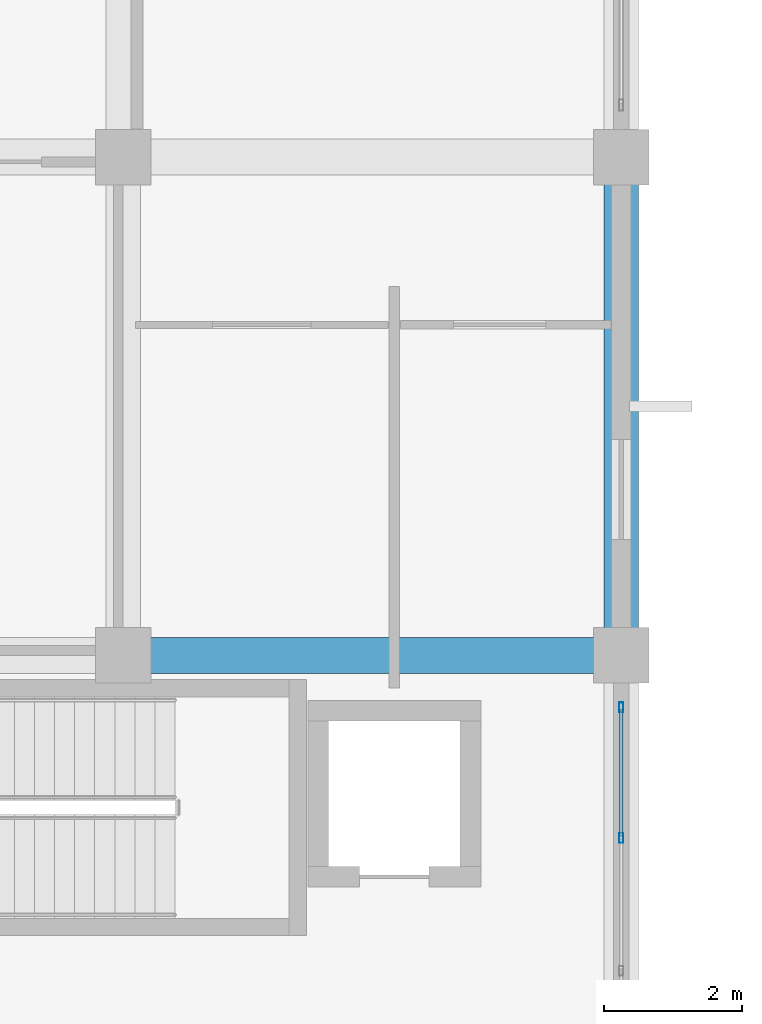
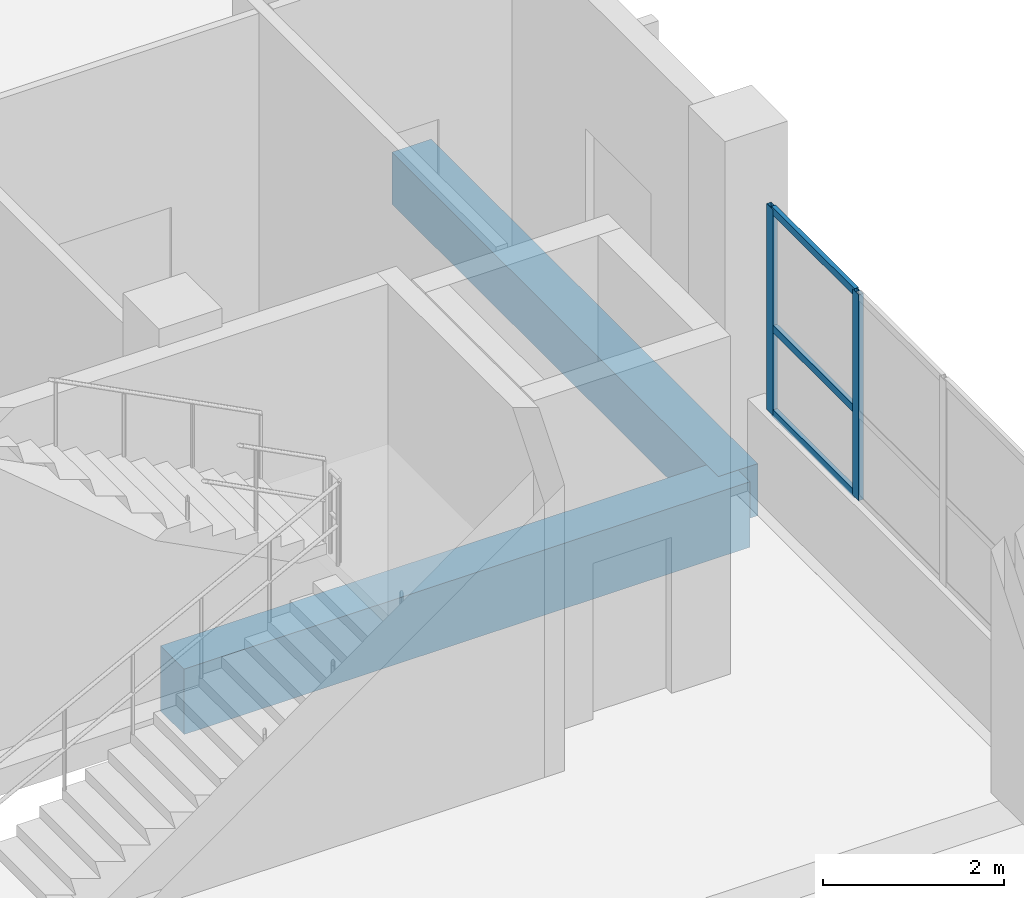
# One storey, part 20 of 140: 5 members, 2 beams, 1 element without a shape of its own.
"""IFC4 building model written with IfcOpenShell, lengths in metres."""

from ifc_helpers import new_model, si_unit, direction, frame, origin, origin_2d, place, context, subcontext, project, spatial, rectangle, hollow_rectangle, extrude, material, layer, layer_set, material_profile, profile_set, type_object, element, aggregate, save


model = new_model("IFC4")

# Units and contexts
model_context = context("Model", 3, precision=1e-05, world=origin(), true_north=direction((0.0, 1.0)))
body_context = subcontext(model_context, "Body", "Model", "MODEL_VIEW")
ifc_project = project(units=[si_unit("LENGTHUNIT", "METRE"), si_unit("AREAUNIT", "SQUARE_METRE"), si_unit("VOLUMEUNIT", "CUBIC_METRE"), si_unit("PLANEANGLEUNIT", "RADIAN"), si_unit("MASSUNIT", "GRAM", prefix="KILO")], contexts=[model_context])

# Site, building, storey
site_placement = place(None, origin())
site = spatial("IfcSite", under=ifc_project, at=site_placement, CompositionType="ELEMENT")
building_placement = place(site_placement, origin())
building = spatial("IfcBuilding", under=site, at=building_placement, Name="Seraya Terrace Polytechnic", CompositionType="ELEMENT")
storey_placement = place(building_placement, frame((0.0, 0.0, 9.60009765625)))
storey = spatial("IfcBuildingStorey", under=building, at=storey_placement, Name="L02", CompositionType="ELEMENT", Elevation=9.60009765625)

# Beams
ifc_material_1 = material(Name="Concrete C40/50", Category="concrete")
ifc_material_profile_1 = material_profile(ifc_material_1, rectangle(XDim=0.52001953125, YDim=0.8798828125, at=origin_2d()), Name="RC 520x880")
ifc_profile_set_1 = profile_set([ifc_material_profile_1], Name="Concrete C40/50")
beam_type_1 = type_object("IfcBeamType", Name="BM-04", PredefinedType="BEAM", material=ifc_profile_set_1)
beam_1_placement = place(storey_placement, frame((36.0, 43.199951171875, -0.440185546875), z_axis=(1.0, 0.0, 0.0), x_axis=(0.0, 1.0, 0.0)))
element("IfcBeam", 1, at=beam_1_placement, inside=storey, type_object=beam_type_1, Name="Beam BM-04 L02 X (36.0..43.2, 43.2)", PredefinedType="BEAM", context=body_context, shape_type="SweptSolid", body=[
    extrude(rectangle(XDim=0.52001953125, YDim=0.8798828125, at=origin_2d()), origin(), (0.0, 0.0, 1.0), 7.199951171875),
])
ifc_material_profile_2 = material_profile(ifc_material_1, rectangle(XDim=0.5, YDim=0.699951171875, at=origin_2d()), Name="RC 500x700")
ifc_profile_set_2 = profile_set([ifc_material_profile_2], Name="Concrete C40/50")
beam_type_2 = type_object("IfcBeamType", Name="BM-07", PredefinedType="BEAM", material=ifc_profile_set_2)
beam_2_placement = place(storey_placement, frame((43.199951171875, 43.199951171875, -0.35009765625), z_axis=(0.0, 1.0, 0.0), x_axis=(-1.0, 0.0, 0.0)))
element("IfcBeam", 2, at=beam_2_placement, inside=storey, type_object=beam_type_2, Name="Beam BM-07 L02 Y (43.2, 43.2..50.4)", PredefinedType="BEAM", context=body_context, shape_type="SweptSolid", body=[
    extrude(rectangle(XDim=0.5, YDim=0.699951171875, at=origin_2d()), origin(), (0.0, 0.0, 1.0), 7.199951171875),
])

# Curtain wall, members
ifc_material_2 = material(Name="Anodised aluminium EN AW-6063 T6", Category="aluminium")
ifc_layer = layer(ifc_material_2, 0.179931640625, Name="CW-15")
ifc_layer_set = layer_set([ifc_layer], Name="Anodised aluminium EN AW-6063 T6")
curtain_wall_type = type_object("IfcCurtainWallType", Name="CW-15", PredefinedType="NOTDEFINED", material=ifc_layer_set)
curtain_wall_placement = place(storey_placement, origin())
curtain_wall = element("IfcCurtainWall", 3, at=curtain_wall_placement, inside=storey, type_object=curtain_wall_type, Name="Unitised curtain wall CW-15 (CW-L02-087)", PredefinedType="NOTDEFINED")
ifc_material_profile_3 = material_profile(ifc_material_2, hollow_rectangle(XDim=0.06005859375, YDim=0.139892578125, WallThickness=0.00341796875, at=origin_2d()), Name="RHS 140x60x3.5")
ifc_profile_set_3 = profile_set([ifc_material_profile_3], Name="Anodised aluminium EN AW-6063 T6")
member_type_1 = type_object("IfcMemberType", Name="CWM-03", PredefinedType="MULLION", material=ifc_profile_set_3)
member_1_placement = place(storey_placement, frame((43.199951171875, 42.449951171875, 1.239990234375), z_axis=(0.0, 0.0, 1.0), x_axis=(1.0, 0.0, 0.0)))
member_1 = element("IfcMember", 4, at=member_1_placement, type_object=member_type_1, Name="CW-15 mullion 1", PredefinedType="MULLION", context=body_context, shape_type="SweptSolid", body=[
    extrude(hollow_rectangle(XDim=0.06005859375, YDim=0.139892578125, WallThickness=0.00341796875, at=origin_2d()), origin(), (0.0, 0.0, 1.0), 2.77001953125),
])
member_2_placement = place(storey_placement, frame((43.199951171875, 40.56005859375, 1.239990234375), z_axis=(0.0, 0.0, 1.0), x_axis=(1.0, 0.0, 0.0)))
member_2 = element("IfcMember", 5, at=member_2_placement, type_object=member_type_1, Name="CW-15 mullion 2", PredefinedType="MULLION", context=body_context, shape_type="SweptSolid", body=[
    extrude(hollow_rectangle(XDim=0.06005859375, YDim=0.139892578125, WallThickness=0.00341796875, at=origin_2d()), origin(), (0.0, 0.0, 1.0), 2.77001953125),
])
ifc_material_profile_4 = material_profile(ifc_material_2, hollow_rectangle(XDim=0.054931640625, YDim=0.10009765625, WallThickness=0.0029296875, at=origin_2d()), Name="RHS 100x55x3.0")
ifc_profile_set_4 = profile_set([ifc_material_profile_4], Name="Anodised aluminium EN AW-6063 T6")
member_type_2 = type_object("IfcMemberType", Name="CWT-03", PredefinedType="USERDEFINED", material=ifc_profile_set_4)
member_3_placement = place(storey_placement, frame((43.199951171875, 42.419921875, 1.267333984375), z_axis=(0.0, -1.0, 0.0), x_axis=(1.0, 0.0, 0.0)))
member_3 = element("IfcMember", 6, at=member_3_placement, type_object=member_type_2, Name="CW-15 transom 1.1", ObjectType="TRANSOM", PredefinedType="USERDEFINED", context=body_context, shape_type="SweptSolid", body=[
    extrude(hollow_rectangle(XDim=0.054931640625, YDim=0.10009765625, WallThickness=0.0029296875, at=origin_2d()), origin(), (0.0, 0.0, 1.0), 1.829833984375),
])
member_4_placement = place(storey_placement, frame((43.199951171875, 42.419921875, 2.4033203125), z_axis=(0.0, -1.0, 0.0), x_axis=(1.0, 0.0, 0.0)))
member_4 = element("IfcMember", 7, at=member_4_placement, type_object=member_type_2, Name="CW-15 transom 1.2", ObjectType="TRANSOM", PredefinedType="USERDEFINED", context=body_context, shape_type="SweptSolid", body=[
    extrude(hollow_rectangle(XDim=0.054931640625, YDim=0.10009765625, WallThickness=0.0029296875, at=origin_2d()), origin(), (0.0, 0.0, 1.0), 1.829833984375),
])
member_5_placement = place(storey_placement, frame((43.199951171875, 42.419921875, 3.982421875), z_axis=(0.0, -1.0, 0.0), x_axis=(1.0, 0.0, 0.0)))
member_5 = element("IfcMember", 8, at=member_5_placement, type_object=member_type_2, Name="CW-15 transom 1.3", ObjectType="TRANSOM", PredefinedType="USERDEFINED", context=body_context, shape_type="SweptSolid", body=[
    extrude(hollow_rectangle(XDim=0.054931640625, YDim=0.10009765625, WallThickness=0.0029296875, at=origin_2d()), origin(), (0.0, 0.0, 1.0), 1.829833984375),
])
aggregate(curtain_wall, [member_1, member_2, member_3, member_4, member_5])

save(model, "model.ifc")
